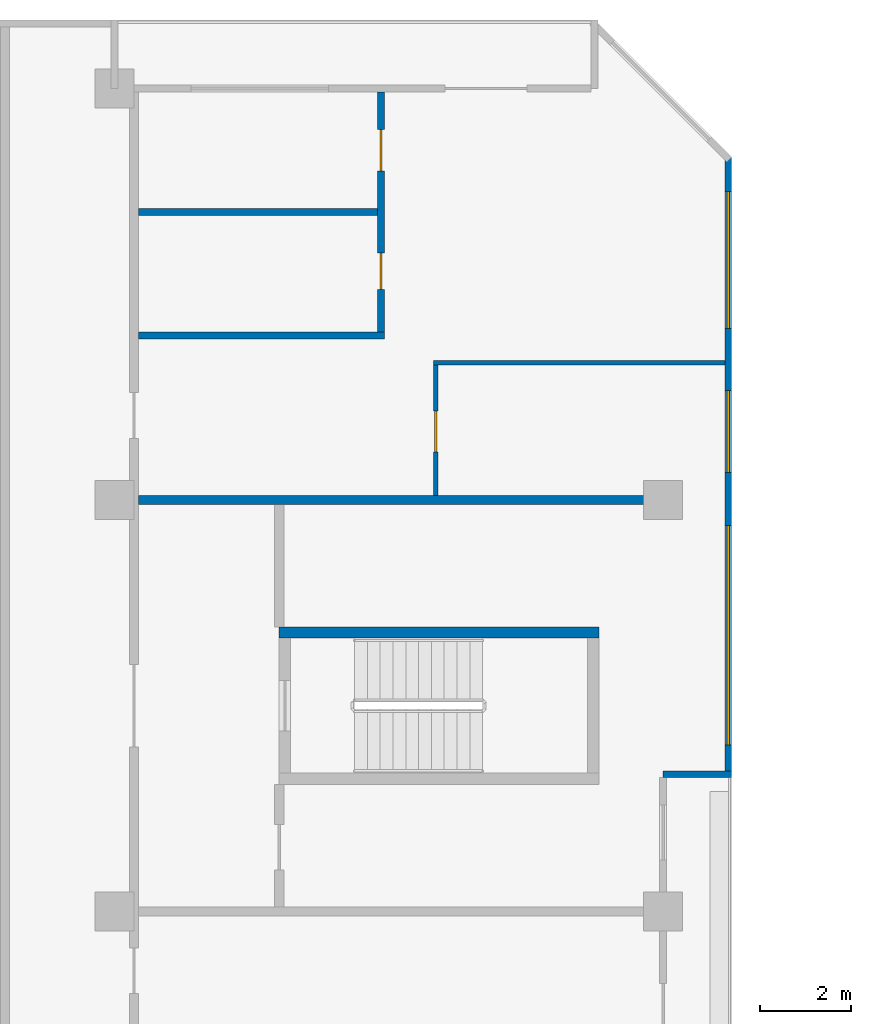
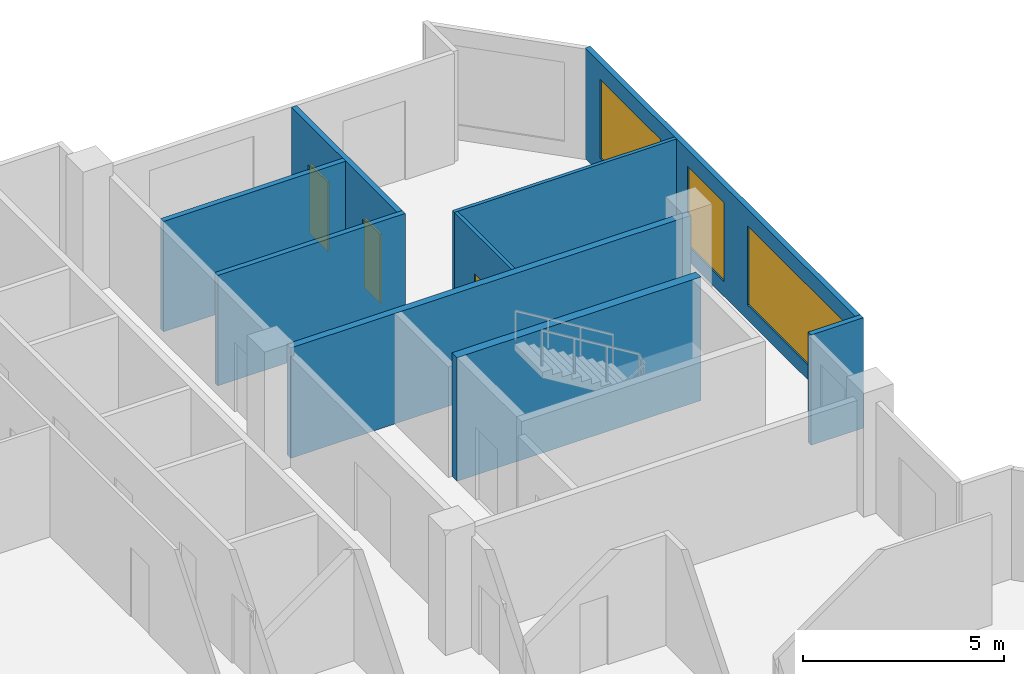
# One storey, part 11 of 14: 9 walls, 3 doors, 3 windows, 6 openings.
"""IFC4 building model written with IfcOpenShell, lengths in metres."""

from ifc_helpers import new_model, si_unit, direction, frame, frame_2d, origin, place, context, subcontext, project, spatial, rectangle, extrude, material, layer, layer_set, type_object, element, fill, save


model = new_model("IFC4")

# Units and contexts
model_context = context("Model", 3, precision=1e-05, world=origin(), true_north=direction((0.0, 1.0)))
body_context = subcontext(model_context, "Body", "Model", "MODEL_VIEW")
ifc_project = project(units=[si_unit("LENGTHUNIT", "METRE"), si_unit("AREAUNIT", "SQUARE_METRE"), si_unit("VOLUMEUNIT", "CUBIC_METRE"), si_unit("PLANEANGLEUNIT", "RADIAN"), si_unit("MASSUNIT", "GRAM", prefix="KILO")], contexts=[model_context])

# Site, building, storey
site_placement = place(None, origin())
site = spatial("IfcSite", under=ifc_project, at=site_placement, CompositionType="ELEMENT")
building_placement = place(site_placement, origin())
building = spatial("IfcBuilding", under=site, at=building_placement, Name="Chenar Terraces", CompositionType="ELEMENT")
storey_placement = place(building_placement, frame((0.0, 0.0, 230.39990234375)))
storey = spatial("IfcBuildingStorey", under=building, at=storey_placement, Name="L54", CompositionType="ELEMENT", Elevation=230.39990234375)

# Wall
ifc_material_1 = material(Name="Concrete C60/75", Category="concrete")
ifc_layer_1 = layer(ifc_material_1, 0.25)
ifc_layer_set_1 = layer_set([ifc_layer_1], Name="Concrete C60/75")
wall_type_1 = type_object("IfcWallType", Name="Core wall 250 Concrete C60/75", PredefinedType="SHEAR", material=ifc_layer_set_1)
wall_1_placement = place(storey_placement, frame((15.60009765625, 51.10009765625, 0.0), z_axis=(0.0, 0.0, 1.0), x_axis=(1.0, 0.0, 0.0)))
element("IfcWall", 1, at=wall_1_placement, inside=storey, type_object=wall_type_1, Name="Core wall ST4_N L54", PredefinedType="SHEAR", context=body_context, shape_type="SweptSolid", body=[
    extrude(rectangle(XDim=7.0, YDim=0.25, at=frame_2d((3.5, 0.0))), origin(), (0.0, 0.0, 1.0), 3.75),
])

# Wall, openings, windows
ifc_material_2 = material(Name="Aluminium framed glazing", Category="aluminium")
ifc_layer_2 = layer(ifc_material_2, 0.14990234375)
ifc_layer_set_2 = layer_set([ifc_layer_2], Name="Aluminium framed glazing")
wall_type_2 = type_object("IfcWallType", Name="Glazed flush facade wall 150", PredefinedType="SOLIDWALL", material=ifc_layer_set_2)
wall_2_placement = place(storey_placement, frame((25.425048828125, 48.074951171875, 0.0), z_axis=(0.0, 0.0, 1.0), x_axis=(0.0, 1.0, 0.0)))
wall_2 = element("IfcWall", 2, at=wall_2_placement, inside=storey, type_object=wall_type_2, Name="Glazed flush facade wall", PredefinedType="SOLIDWALL", context=body_context, shape_type="SweptSolid", body=[
    extrude(rectangle(XDim=13.425048828125, YDim=0.14990234375, at=frame_2d((6.71240234375, 0.0))), origin(), (0.0, 0.0, 1.0), 3.35009765625),
])
opening_1_placement = place(wall_2_placement, frame((0.5625, 0.0, 0.449951171875)))
opening_1 = element("IfcOpeningElement", 3, at=opening_1_placement, cuts=wall_2, Name="Opening W480x240", PredefinedType="OPENING", context=body_context, shape_type="SweptSolid", body=[
    extrude(rectangle(XDim=4.800048828125, YDim=2.39990234375, at=frame_2d((2.39990234375, 1.199951171875))), frame((0.0, 0.0849609375, 0.0), z_axis=(0.0, -1.0, 0.0), x_axis=(1.0, 0.0, 0.0)), (0.0, 0.0, 1.0), 0.169921875),
])
opening_2_placement = place(wall_2_placement, frame((6.52490234375, 0.0, 0.449951171875)))
opening_2 = element("IfcOpeningElement", 4, at=opening_2_placement, cuts=wall_2, Name="Opening W180x240", PredefinedType="OPENING", context=body_context, shape_type="SweptSolid", body=[
    extrude(rectangle(XDim=1.800048828125, YDim=2.39990234375, at=frame_2d((0.89990234375, 1.199951171875))), frame((0.0, 0.0849609375, 0.0), z_axis=(0.0, -1.0, 0.0), x_axis=(1.0, 0.0, 0.0)), (0.0, 0.0, 1.0), 0.169921875),
])
opening_3_placement = place(wall_2_placement, frame((9.675048828125, 0.0, 0.449951171875)))
opening_3 = element("IfcOpeningElement", 5, at=opening_3_placement, cuts=wall_2, Name="Opening W300x240", PredefinedType="OPENING", context=body_context, shape_type="SweptSolid", body=[
    extrude(rectangle(XDim=3.0, YDim=2.39990234375, at=frame_2d((1.5, 1.199951171875))), frame((0.0, 0.0849609375, 0.0), z_axis=(0.0, -1.0, 0.0), x_axis=(1.0, 0.0, 0.0)), (0.0, 0.0, 1.0), 0.169921875),
])
ifc_material_3 = material(Name="Low emissivity double glazing, aluminium frame", Category="aluminium")
window_type_1 = type_object("IfcWindowType", Name="Fixed light 1800 x 2400", PartitioningType="SINGLE_PANEL", PredefinedType="WINDOW", material=ifc_material_3)
window_1_placement = place(opening_2_placement, origin())
window_1 = element("IfcWindow", 6, at=window_1_placement, inside=storey, type_object=window_type_1, Name="Window", OverallHeight=2.39990234375, OverallWidth=1.800048828125, PartitioningType="SINGLE_PANEL", PredefinedType="WINDOW", context=body_context, shape_type="SweptSolid", body=[
    extrude(rectangle(XDim=1.800048828125, YDim=2.39990234375, at=frame_2d((0.89990234375, 1.199951171875))), frame((0.0, 0.030029296875, 0.0), z_axis=(0.0, -1.0, 0.0), x_axis=(1.0, 0.0, 0.0)), (0.0, 0.0, 1.0), 0.06005859375),
])
fill(opening_2, window_1)
ifc_material_4 = material(Name="Low emissivity double glazing, aluminium frame", Category="aluminium")
window_type_2 = type_object("IfcWindowType", Name="Fixed light 3000 x 2400", PartitioningType="SINGLE_PANEL", PredefinedType="WINDOW", material=ifc_material_4)
window_2_placement = place(opening_3_placement, origin())
window_2 = element("IfcWindow", 7, at=window_2_placement, inside=storey, type_object=window_type_2, Name="Window", OverallHeight=2.39990234375, OverallWidth=3.0, PartitioningType="SINGLE_PANEL", PredefinedType="WINDOW", context=body_context, shape_type="SweptSolid", body=[
    extrude(rectangle(XDim=3.0, YDim=2.39990234375, at=frame_2d((1.5, 1.199951171875))), frame((0.0, 0.030029296875, 0.0), z_axis=(0.0, -1.0, 0.0), x_axis=(1.0, 0.0, 0.0)), (0.0, 0.0, 1.0), 0.06005859375),
])
fill(opening_3, window_2)
ifc_material_5 = material(Name="Low emissivity double glazing, aluminium frame", Category="aluminium")
window_type_3 = type_object("IfcWindowType", Name="Fixed light 4800 x 2400", PartitioningType="SINGLE_PANEL", PredefinedType="WINDOW", material=ifc_material_5)
window_3_placement = place(opening_1_placement, origin())
window_3 = element("IfcWindow", 8, at=window_3_placement, inside=storey, type_object=window_type_3, Name="Window", OverallHeight=2.39990234375, OverallWidth=4.800048828125, PartitioningType="SINGLE_PANEL", PredefinedType="WINDOW", context=body_context, shape_type="SweptSolid", body=[
    extrude(rectangle(XDim=4.800048828125, YDim=2.39990234375, at=frame_2d((2.39990234375, 1.199951171875))), frame((0.0, 0.030029296875, 0.0), z_axis=(0.0, -1.0, 0.0), x_axis=(1.0, 0.0, 0.0)), (0.0, 0.0, 1.0), 0.06005859375),
])
fill(opening_1, window_3)

# Wall
ifc_material_6 = material(Name="Gypsum board on steel studs", Category="steel")
ifc_layer_3 = layer(ifc_material_6, 0.10009765625)
ifc_layer_set_3 = layer_set([ifc_layer_3], Name="Gypsum board on steel studs")
wall_type_3 = type_object("IfcWallType", Name="Gypsum partition 100", PredefinedType="PARTITIONING", material=ifc_layer_set_3)
wall_3_placement = place(storey_placement, frame((18.97509765625, 57.0, 0.0), z_axis=(0.0, 0.0, 1.0), x_axis=(1.0, 0.0, 0.0)))
element("IfcWall", 9, at=wall_3_placement, inside=storey, type_object=wall_type_3, Name="Partition L54-048", PredefinedType="PARTITIONING", context=body_context, shape_type="SweptSolid", body=[
    extrude(rectangle(XDim=6.375, YDim=0.10009765625, at=frame_2d((3.1875, 0.0))), origin(), (0.0, 0.0, 1.0), 3.35009765625),
])

# Wall, opening, door
wall_4_placement = place(storey_placement, frame((19.02490234375, 54.10009765625, 0.0), z_axis=(0.0, 0.0, 1.0), x_axis=(0.0, 1.0, 0.0)))
wall_4 = element("IfcWall", 10, at=wall_4_placement, inside=storey, type_object=wall_type_3, Name="Partition L54-049", PredefinedType="PARTITIONING", context=body_context, shape_type="SweptSolid", body=[
    extrude(rectangle(XDim=2.849853515625, YDim=0.10009765625, at=frame_2d((1.4248046875, 0.0))), origin(), (0.0, 0.0, 1.0), 3.35009765625),
])
opening_4_placement = place(wall_4_placement, frame((0.949951171875, 0.0, 0.0)))
opening_4 = element("IfcOpeningElement", 11, at=opening_4_placement, cuts=wall_4, Name="Opening DL54-19", PredefinedType="OPENING", context=body_context, shape_type="SweptSolid", body=[
    extrude(rectangle(XDim=0.89990234375, YDim=2.10009765625, at=frame_2d((0.449951171875, 1.050048828125))), frame((0.0, 0.06005859375, 0.0), z_axis=(0.0, -1.0, 0.0), x_axis=(1.0, 0.0, 0.0)), (0.0, 0.0, 1.0), 0.1201171875),
])
ifc_material_7 = material(Name="Veneered timber door leaf", Category="wood")
door_type_1 = type_object("IfcDoorType", Name="Door 900 x 2100", OperationType="SINGLE_SWING_LEFT", PredefinedType="DOOR", material=ifc_material_7)
door_1_placement = place(opening_4_placement, frame((0.89990234375, 0.0, 0.0), z_axis=(0.0, 0.0, 1.0), x_axis=(-1.0, 0.0, 0.0)))
door_1 = element("IfcDoor", 12, at=door_1_placement, inside=storey, type_object=door_type_1, Name="Door DL54-19", OperationType="SINGLE_SWING_LEFT", OverallHeight=2.10009765625, OverallWidth=0.89990234375, PredefinedType="DOOR", context=body_context, shape_type="SweptSolid", body=[
    extrude(rectangle(XDim=0.89990234375, YDim=2.10009765625, at=frame_2d((0.449951171875, 1.050048828125))), frame((0.0, 0.02490234375, 0.0), z_axis=(0.0, -1.0, 0.0), x_axis=(1.0, 0.0, 0.0)), (0.0, 0.0, 1.0), 0.050048828125),
])
fill(opening_4, door_1)

# Walls
ifc_material_8 = material(Name="Terracotta cladding on insulated backing", Category="masonry")
ifc_layer_4 = layer(ifc_material_8, 0.14990234375)
ifc_layer_set_4 = layer_set([ifc_layer_4], Name="Terracotta cladding on insulated backing")
wall_type_4 = type_object("IfcWallType", Name="Loggia return wall 150", PredefinedType="SOLIDWALL", material=ifc_layer_set_4)
wall_5_placement = place(storey_placement, frame((25.5, 48.0, 0.0), z_axis=(0.0, 0.0, 1.0), x_axis=(-1.0, 0.0, 0.0)))
element("IfcWall", 13, at=wall_5_placement, inside=storey, type_object=wall_type_4, Name="Loggia return wall", PredefinedType="SOLIDWALL", context=body_context, shape_type="SweptSolid", body=[
    extrude(rectangle(XDim=1.5, YDim=0.14990234375, at=frame_2d((0.75, 0.0))), origin(), (0.0, 0.0, 1.0), 3.35009765625),
])
ifc_material_9 = material(Name="Twin gypsum board on steel studs with mineral wool", Category="steel")
ifc_layer_5 = layer(ifc_material_9, 0.199951171875)
ifc_layer_set_5 = layer_set([ifc_layer_5], Name="Twin gypsum board on steel studs with mineral wool")
wall_type_5 = type_object("IfcWallType", Name="Unit demising wall 200", PredefinedType="PARTITIONING", material=ifc_layer_set_5)
wall_6_placement = place(storey_placement, frame((12.52490234375, 54.0, 0.0), z_axis=(0.0, 0.0, 1.0), x_axis=(1.0, 0.0, 0.0)))
element("IfcWall", 14, at=wall_6_placement, inside=storey, type_object=wall_type_5, Name="Partition L54-039", PredefinedType="PARTITIONING", context=body_context, shape_type="SweptSolid", body=[
    extrude(rectangle(XDim=11.47509765625, YDim=0.199951171875, at=frame_2d((5.737548828125, 0.0))), origin(), (0.0, 0.0, 1.0), 3.35009765625),
])
ifc_material_10 = material(Name="Moisture-resistant gypsum board on steel studs", Category="steel")
ifc_layer_6 = layer(ifc_material_10, 0.14990234375)
ifc_layer_set_6 = layer_set([ifc_layer_6], Name="Moisture-resistant gypsum board on steel studs")
wall_type_6 = type_object("IfcWallType", Name="Wet-room partition 150", PredefinedType="PARTITIONING", material=ifc_layer_set_6)
wall_7_placement = place(storey_placement, frame((12.52490234375, 57.60009765625, 0.0), z_axis=(0.0, 0.0, 1.0), x_axis=(1.0, 0.0, 0.0)))
element("IfcWall", 15, at=wall_7_placement, inside=storey, type_object=wall_type_6, Name="Partition L54-040", PredefinedType="PARTITIONING", context=body_context, shape_type="SweptSolid", body=[
    extrude(rectangle(XDim=5.375, YDim=0.14990234375, at=frame_2d((2.6875, 0.0))), origin(), (0.0, 0.0, 1.0), 3.35009765625),
])
wall_8_placement = place(storey_placement, frame((12.52490234375, 60.300048828125, 0.0), z_axis=(0.0, 0.0, 1.0), x_axis=(1.0, 0.0, 0.0)))
element("IfcWall", 16, at=wall_8_placement, inside=storey, type_object=wall_type_6, Name="Partition L54-041", PredefinedType="PARTITIONING", context=body_context, shape_type="SweptSolid", body=[
    extrude(rectangle(XDim=5.22509765625, YDim=0.14990234375, at=frame_2d((2.612548828125, 0.0))), origin(), (0.0, 0.0, 1.0), 3.35009765625),
])

# Wall, openings, doors
wall_9_placement = place(storey_placement, frame((17.824951171875, 57.675048828125, 0.0), z_axis=(0.0, 0.0, 1.0), x_axis=(0.0, 1.0, 0.0)))
wall_9 = element("IfcWall", 17, at=wall_9_placement, inside=storey, type_object=wall_type_6, Name="Partition L54-047", PredefinedType="PARTITIONING", context=body_context, shape_type="SweptSolid", body=[
    extrude(rectangle(XDim=5.2509765625, YDim=0.14990234375, at=frame_2d((2.62548828125, 0.0))), origin(), (0.0, 0.0, 1.0), 3.35009765625),
])
opening_5_placement = place(wall_9_placement, frame((0.925048828125, 0.0, 0.0)))
opening_5 = element("IfcOpeningElement", 18, at=opening_5_placement, cuts=wall_9, Name="Opening DL54-18", PredefinedType="OPENING", context=body_context, shape_type="SweptSolid", body=[
    extrude(rectangle(XDim=0.800048828125, YDim=2.10009765625, at=frame_2d((0.39990234375, 1.050048828125))), frame((0.0, 0.0849609375, 0.0), z_axis=(0.0, -1.0, 0.0), x_axis=(1.0, 0.0, 0.0)), (0.0, 0.0, 1.0), 0.169921875),
])
opening_6_placement = place(wall_9_placement, frame((3.52490234375, 0.0, 0.0)))
opening_6 = element("IfcOpeningElement", 19, at=opening_6_placement, cuts=wall_9, Name="Opening DL54-20", PredefinedType="OPENING", context=body_context, shape_type="SweptSolid", body=[
    extrude(rectangle(XDim=0.89990234375, YDim=2.10009765625, at=frame_2d((0.449951171875, 1.050048828125))), frame((0.0, 0.0849609375, 0.0), z_axis=(0.0, -1.0, 0.0), x_axis=(1.0, 0.0, 0.0)), (0.0, 0.0, 1.0), 0.169921875),
])
ifc_material_11 = material(Name="Veneered timber door leaf", Category="wood")
door_type_2 = type_object("IfcDoorType", Name="Door 800 x 2100", OperationType="SINGLE_SWING_LEFT", PredefinedType="DOOR", material=ifc_material_11)
door_2_placement = place(opening_5_placement, origin())
door_2 = element("IfcDoor", 20, at=door_2_placement, inside=storey, type_object=door_type_2, Name="Door DL54-18", OperationType="SINGLE_SWING_RIGHT", OverallHeight=2.10009765625, OverallWidth=0.800048828125, PredefinedType="DOOR", context=body_context, shape_type="SweptSolid", body=[
    extrude(rectangle(XDim=0.800048828125, YDim=2.10009765625, at=frame_2d((0.39990234375, 1.050048828125))), frame((0.0, 0.02490234375, 0.0), z_axis=(0.0, -1.0, 0.0), x_axis=(1.0, 0.0, 0.0)), (0.0, 0.0, 1.0), 0.050048828125),
])
fill(opening_5, door_2)
door_3_placement = place(opening_6_placement, origin())
door_3 = element("IfcDoor", 21, at=door_3_placement, inside=storey, type_object=door_type_1, Name="Door DL54-20", OperationType="SINGLE_SWING_LEFT", OverallHeight=2.10009765625, OverallWidth=0.89990234375, PredefinedType="DOOR", context=body_context, shape_type="SweptSolid", body=[
    extrude(rectangle(XDim=0.89990234375, YDim=2.10009765625, at=frame_2d((0.449951171875, 1.050048828125))), frame((0.0, 0.02490234375, 0.0), z_axis=(0.0, -1.0, 0.0), x_axis=(1.0, 0.0, 0.0)), (0.0, 0.0, 1.0), 0.050048828125),
])
fill(opening_6, door_3)

save(model, "model.ifc")
